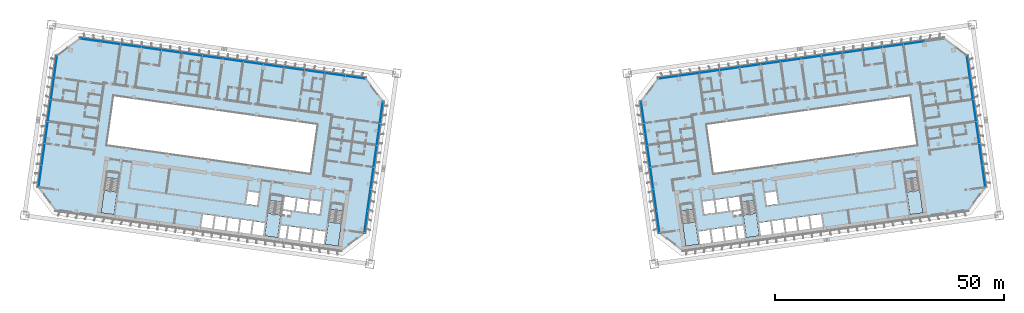
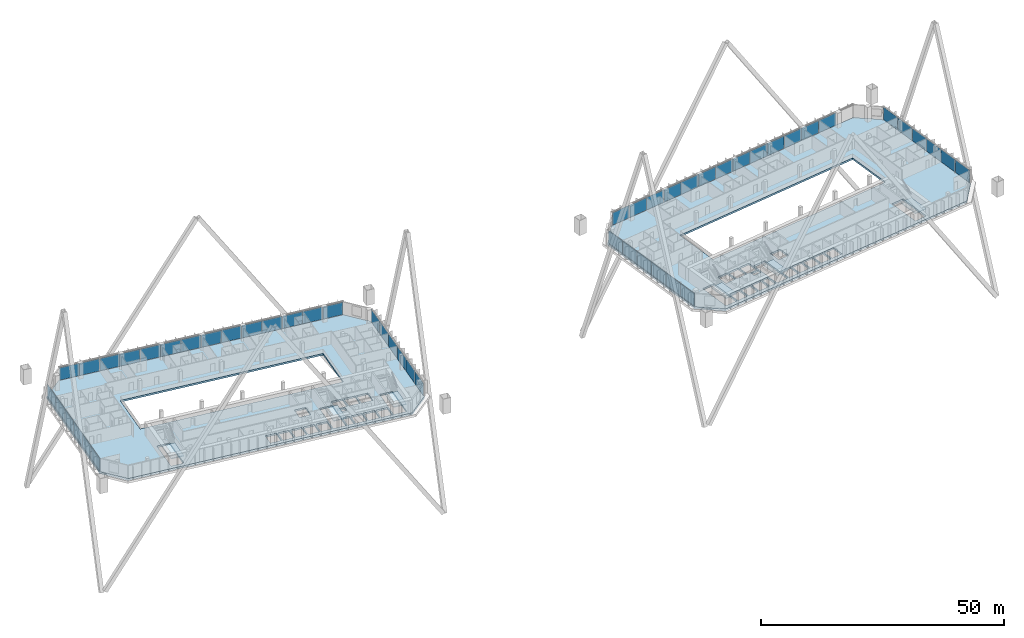
# One storey, part 36 of 49: 51 plates, 8 slabs, 12 elements without a shape of their own.
"""IFC4 building model written with IfcOpenShell, lengths in metres."""

from ifc_helpers import new_model, si_unit, direction, frame, origin, origin_2d, place, context, subcontext, project, spatial, polyline, rectangle, outline, extrude, material, layer, layer_set, type_object, element, aggregate, save


model = new_model("IFC4")

# Units and contexts
model_context = context("Model", 3, precision=1e-05, world=origin(), true_north=direction((0.0, 1.0)))
body_context = subcontext(model_context, "Body", "Model", "MODEL_VIEW")
ifc_project = project(units=[si_unit("LENGTHUNIT", "METRE"), si_unit("AREAUNIT", "SQUARE_METRE"), si_unit("VOLUMEUNIT", "CUBIC_METRE"), si_unit("PLANEANGLEUNIT", "RADIAN"), si_unit("MASSUNIT", "GRAM", prefix="KILO")], contexts=[model_context])

# Site, building, storey
site_placement = place(None, origin())
site = spatial("IfcSite", under=ifc_project, at=site_placement, CompositionType="ELEMENT")
building_placement = place(site_placement, origin())
building = spatial("IfcBuilding", under=site, at=building_placement, Name="Mirante Cascada Hotel Towers", CompositionType="ELEMENT")
storey_placement = place(building_placement, frame((0.0, 0.0, 66.1)))
storey = spatial("IfcBuildingStorey", under=building, at=storey_placement, Name="L13", CompositionType="ELEMENT", Elevation=66.1)

# Curtain wall, plates
ifc_material_1 = material(Name="Aluminium mullion and transom frame with clear laminated glass", Category="aluminium")
curtain_wall_type_1 = type_object("IfcCurtainWallType", Name="Ribbon curtain wall ECW1", PredefinedType="NOTDEFINED", material=ifc_material_1)
curtain_wall_1_placement = place(storey_placement, origin())
curtain_wall_1 = element("IfcCurtainWall", 1, at=curtain_wall_1_placement, inside=storey, type_object=curtain_wall_type_1, Name="Front ribbon wall T1 L13", PredefinedType="NOTDEFINED")
ifc_material_2 = material(Name="Clear laminated glass", Category="glass")
ifc_layer_1 = layer(ifc_material_2, 0.036)
ifc_layer_set_1 = layer_set([ifc_layer_1], Name="ECW1 glass panel 36")
plate_type_1 = type_object("IfcPlateType", Name="ECW1 glass panel 36", PredefinedType="CURTAIN_PANEL", material=ifc_layer_set_1)
plate_1_placement = place(storey_placement, frame((-91.9184, 25.7373, 0.1), z_axis=(0.0, 0.0, 1.0), x_axis=(0.9902681, -0.1391731, 0.0)))
plate_1 = element("IfcPlate", 2, at=plate_1_placement, type_object=plate_type_1, Name="ECW1 panel 1", PredefinedType="CURTAIN_PANEL", context=body_context, shape_type="SweptSolid", body=[
    extrude(rectangle(XDim=4.3936, YDim=0.036, at=origin_2d()), origin(), (0.0, 0.0, 1.0), 3.15),
])
plate_2_placement = place(storey_placement, frame((-87.487, 25.1145, 0.1), z_axis=(0.0, 0.0, 1.0), x_axis=(0.9902681, -0.1391731, 0.0)))
plate_2 = element("IfcPlate", 3, at=plate_2_placement, type_object=plate_type_1, Name="ECW1 panel 2", PredefinedType="CURTAIN_PANEL", context=body_context, shape_type="SweptSolid", body=[
    extrude(rectangle(XDim=4.4261, YDim=0.036, at=origin_2d()), origin(), (0.0, 0.0, 1.0), 3.15),
])
plate_3_placement = place(storey_placement, frame((-83.0396, 24.4895, 0.1), z_axis=(0.0, 0.0, 1.0), x_axis=(0.9902681, -0.1391731, 0.0)))
plate_3 = element("IfcPlate", 4, at=plate_3_placement, type_object=plate_type_1, Name="ECW1 panel 3", PredefinedType="CURTAIN_PANEL", context=body_context, shape_type="SweptSolid", body=[
    extrude(rectangle(XDim=4.4261, YDim=0.036, at=origin_2d()), origin(), (0.0, 0.0, 1.0), 3.15),
])
plate_4_placement = place(storey_placement, frame((-78.5922, 23.8644, 0.1), z_axis=(0.0, 0.0, 1.0), x_axis=(0.9902681, -0.1391731, 0.0)))
plate_4 = element("IfcPlate", 5, at=plate_4_placement, type_object=plate_type_1, Name="ECW1 panel 4", PredefinedType="CURTAIN_PANEL", context=body_context, shape_type="SweptSolid", body=[
    extrude(rectangle(XDim=4.4261, YDim=0.036, at=origin_2d()), origin(), (0.0, 0.0, 1.0), 3.15),
])
plate_5_placement = place(storey_placement, frame((-74.1448, 23.2394, 0.1), z_axis=(0.0, 0.0, 1.0), x_axis=(0.9902681, -0.1391731, 0.0)))
plate_5 = element("IfcPlate", 6, at=plate_5_placement, type_object=plate_type_1, Name="ECW1 panel 5", PredefinedType="CURTAIN_PANEL", context=body_context, shape_type="SweptSolid", body=[
    extrude(rectangle(XDim=4.4261, YDim=0.036, at=origin_2d()), origin(), (0.0, 0.0, 1.0), 3.15),
])
plate_6_placement = place(storey_placement, frame((-69.6974, 22.6144, 0.1), z_axis=(0.0, 0.0, 1.0), x_axis=(0.9902681, -0.1391731, 0.0)))
plate_6 = element("IfcPlate", 7, at=plate_6_placement, type_object=plate_type_1, Name="ECW1 panel 6", PredefinedType="CURTAIN_PANEL", context=body_context, shape_type="SweptSolid", body=[
    extrude(rectangle(XDim=4.4261, YDim=0.036, at=origin_2d()), origin(), (0.0, 0.0, 1.0), 3.15),
])
plate_7_placement = place(storey_placement, frame((-65.2499, 21.9893, 0.1), z_axis=(0.0, 0.0, 1.0), x_axis=(0.9902681, -0.1391731, 0.0)))
plate_7 = element("IfcPlate", 8, at=plate_7_placement, type_object=plate_type_1, Name="ECW1 panel 7", PredefinedType="CURTAIN_PANEL", context=body_context, shape_type="SweptSolid", body=[
    extrude(rectangle(XDim=4.4261, YDim=0.036, at=origin_2d()), origin(), (0.0, 0.0, 1.0), 3.15),
])
plate_8_placement = place(storey_placement, frame((-60.8025, 21.3643, 0.1), z_axis=(0.0, 0.0, 1.0), x_axis=(0.9902681, -0.1391731, 0.0)))
plate_8 = element("IfcPlate", 9, at=plate_8_placement, type_object=plate_type_1, Name="ECW1 panel 8", PredefinedType="CURTAIN_PANEL", context=body_context, shape_type="SweptSolid", body=[
    extrude(rectangle(XDim=4.4261, YDim=0.036, at=origin_2d()), origin(), (0.0, 0.0, 1.0), 3.15),
])
plate_9_placement = place(storey_placement, frame((-56.3551, 20.7392, 0.1), z_axis=(0.0, 0.0, 1.0), x_axis=(0.9902681, -0.1391731, 0.0)))
plate_9 = element("IfcPlate", 10, at=plate_9_placement, type_object=plate_type_1, Name="ECW1 panel 9", PredefinedType="CURTAIN_PANEL", context=body_context, shape_type="SweptSolid", body=[
    extrude(rectangle(XDim=4.4261, YDim=0.036, at=origin_2d()), origin(), (0.0, 0.0, 1.0), 3.15),
])
plate_10_placement = place(storey_placement, frame((-51.9077, 20.1142, 0.1), z_axis=(0.0, 0.0, 1.0), x_axis=(0.9902681, -0.1391731, 0.0)))
plate_10 = element("IfcPlate", 11, at=plate_10_placement, type_object=plate_type_1, Name="ECW1 panel 10", PredefinedType="CURTAIN_PANEL", context=body_context, shape_type="SweptSolid", body=[
    extrude(rectangle(XDim=4.4261, YDim=0.036, at=origin_2d()), origin(), (0.0, 0.0, 1.0), 3.15),
])
plate_11_placement = place(storey_placement, frame((-47.4603, 19.4891, 0.1), z_axis=(0.0, 0.0, 1.0), x_axis=(0.9902681, -0.1391731, 0.0)))
plate_11 = element("IfcPlate", 12, at=plate_11_placement, type_object=plate_type_1, Name="ECW1 panel 11", PredefinedType="CURTAIN_PANEL", context=body_context, shape_type="SweptSolid", body=[
    extrude(rectangle(XDim=4.4261, YDim=0.036, at=origin_2d()), origin(), (0.0, 0.0, 1.0), 3.15),
])
plate_12_placement = place(storey_placement, frame((-43.0129, 18.8641, 0.1), z_axis=(0.0, 0.0, 1.0), x_axis=(0.9902681, -0.1391731, 0.0)))
plate_12 = element("IfcPlate", 13, at=plate_12_placement, type_object=plate_type_1, Name="ECW1 panel 12", PredefinedType="CURTAIN_PANEL", context=body_context, shape_type="SweptSolid", body=[
    extrude(rectangle(XDim=4.4261, YDim=0.036, at=origin_2d()), origin(), (0.0, 0.0, 1.0), 3.15),
])
plate_13_placement = place(storey_placement, frame((-38.5654, 18.239, 0.1), z_axis=(0.0, 0.0, 1.0), x_axis=(0.9902681, -0.1391731, 0.0)))
plate_13 = element("IfcPlate", 14, at=plate_13_placement, type_object=plate_type_1, Name="ECW1 panel 13", PredefinedType="CURTAIN_PANEL", context=body_context, shape_type="SweptSolid", body=[
    extrude(rectangle(XDim=4.4261, YDim=0.036, at=origin_2d()), origin(), (0.0, 0.0, 1.0), 3.15),
])
plate_14_placement = place(storey_placement, frame((-34.1341, 17.6163, 0.1), z_axis=(0.0, 0.0, 1.0), x_axis=(0.9902681, -0.1391731, 0.0)))
plate_14 = element("IfcPlate", 15, at=plate_14_placement, type_object=plate_type_1, Name="ECW1 panel 14", PredefinedType="CURTAIN_PANEL", context=body_context, shape_type="SweptSolid", body=[
    extrude(rectangle(XDim=4.3936, YDim=0.036, at=origin_2d()), origin(), (0.0, 0.0, 1.0), 3.15),
])
aggregate(curtain_wall_1, [plate_1, plate_2, plate_3, plate_4, plate_5, plate_6, plate_7, plate_8, plate_9, plate_10, plate_11, plate_12, plate_13, plate_14])

curtain_wall_2_placement = place(storey_placement, origin())
curtain_wall_2 = element("IfcCurtainWall", 16, at=curtain_wall_2_placement, inside=storey, type_object=curtain_wall_type_1, Name="Front ribbon wall T2 L13", PredefinedType="NOTDEFINED")
plate_15_placement = place(storey_placement, frame((87.487, 25.1145, 0.1), z_axis=(0.0, 0.0, 1.0), x_axis=(-0.9902681, -0.1391731, 0.0)))
plate_15 = element("IfcPlate", 17, at=plate_15_placement, type_object=plate_type_1, Name="ECW1 panel 2", PredefinedType="CURTAIN_PANEL", context=body_context, shape_type="SweptSolid", body=[
    extrude(rectangle(XDim=4.4261, YDim=0.036, at=origin_2d()), origin(), (0.0, 0.0, 1.0), 3.15),
])
plate_16_placement = place(storey_placement, frame((83.0396, 24.4895, 0.1), z_axis=(0.0, 0.0, 1.0), x_axis=(-0.9902681, -0.1391731, 0.0)))
plate_16 = element("IfcPlate", 18, at=plate_16_placement, type_object=plate_type_1, Name="ECW1 panel 3", PredefinedType="CURTAIN_PANEL", context=body_context, shape_type="SweptSolid", body=[
    extrude(rectangle(XDim=4.4261, YDim=0.036, at=origin_2d()), origin(), (0.0, 0.0, 1.0), 3.15),
])
plate_17_placement = place(storey_placement, frame((78.5922, 23.8644, 0.1), z_axis=(0.0, 0.0, 1.0), x_axis=(-0.9902681, -0.1391731, 0.0)))
plate_17 = element("IfcPlate", 19, at=plate_17_placement, type_object=plate_type_1, Name="ECW1 panel 4", PredefinedType="CURTAIN_PANEL", context=body_context, shape_type="SweptSolid", body=[
    extrude(rectangle(XDim=4.4261, YDim=0.036, at=origin_2d()), origin(), (0.0, 0.0, 1.0), 3.15),
])
plate_18_placement = place(storey_placement, frame((74.1448, 23.2394, 0.1), z_axis=(0.0, 0.0, 1.0), x_axis=(-0.9902681, -0.1391731, 0.0)))
plate_18 = element("IfcPlate", 20, at=plate_18_placement, type_object=plate_type_1, Name="ECW1 panel 5", PredefinedType="CURTAIN_PANEL", context=body_context, shape_type="SweptSolid", body=[
    extrude(rectangle(XDim=4.4261, YDim=0.036, at=origin_2d()), origin(), (0.0, 0.0, 1.0), 3.15),
])
plate_19_placement = place(storey_placement, frame((69.6974, 22.6144, 0.1), z_axis=(0.0, 0.0, 1.0), x_axis=(-0.9902681, -0.1391731, 0.0)))
plate_19 = element("IfcPlate", 21, at=plate_19_placement, type_object=plate_type_1, Name="ECW1 panel 6", PredefinedType="CURTAIN_PANEL", context=body_context, shape_type="SweptSolid", body=[
    extrude(rectangle(XDim=4.4261, YDim=0.036, at=origin_2d()), origin(), (0.0, 0.0, 1.0), 3.15),
])
plate_20_placement = place(storey_placement, frame((65.2499, 21.9893, 0.1), z_axis=(0.0, 0.0, 1.0), x_axis=(-0.9902681, -0.1391731, 0.0)))
plate_20 = element("IfcPlate", 22, at=plate_20_placement, type_object=plate_type_1, Name="ECW1 panel 7", PredefinedType="CURTAIN_PANEL", context=body_context, shape_type="SweptSolid", body=[
    extrude(rectangle(XDim=4.4261, YDim=0.036, at=origin_2d()), origin(), (0.0, 0.0, 1.0), 3.15),
])
plate_21_placement = place(storey_placement, frame((60.8025, 21.3643, 0.1), z_axis=(0.0, 0.0, 1.0), x_axis=(-0.9902681, -0.1391731, 0.0)))
plate_21 = element("IfcPlate", 23, at=plate_21_placement, type_object=plate_type_1, Name="ECW1 panel 8", PredefinedType="CURTAIN_PANEL", context=body_context, shape_type="SweptSolid", body=[
    extrude(rectangle(XDim=4.4261, YDim=0.036, at=origin_2d()), origin(), (0.0, 0.0, 1.0), 3.15),
])
plate_22_placement = place(storey_placement, frame((56.3551, 20.7392, 0.1), z_axis=(0.0, 0.0, 1.0), x_axis=(-0.9902681, -0.1391731, 0.0)))
plate_22 = element("IfcPlate", 24, at=plate_22_placement, type_object=plate_type_1, Name="ECW1 panel 9", PredefinedType="CURTAIN_PANEL", context=body_context, shape_type="SweptSolid", body=[
    extrude(rectangle(XDim=4.4261, YDim=0.036, at=origin_2d()), origin(), (0.0, 0.0, 1.0), 3.15),
])
plate_23_placement = place(storey_placement, frame((51.9077, 20.1142, 0.1), z_axis=(0.0, 0.0, 1.0), x_axis=(-0.9902681, -0.1391731, 0.0)))
plate_23 = element("IfcPlate", 25, at=plate_23_placement, type_object=plate_type_1, Name="ECW1 panel 10", PredefinedType="CURTAIN_PANEL", context=body_context, shape_type="SweptSolid", body=[
    extrude(rectangle(XDim=4.4261, YDim=0.036, at=origin_2d()), origin(), (0.0, 0.0, 1.0), 3.15),
])
plate_24_placement = place(storey_placement, frame((47.4603, 19.4891, 0.1), z_axis=(0.0, 0.0, 1.0), x_axis=(-0.9902681, -0.1391731, 0.0)))
plate_24 = element("IfcPlate", 26, at=plate_24_placement, type_object=plate_type_1, Name="ECW1 panel 11", PredefinedType="CURTAIN_PANEL", context=body_context, shape_type="SweptSolid", body=[
    extrude(rectangle(XDim=4.4261, YDim=0.036, at=origin_2d()), origin(), (0.0, 0.0, 1.0), 3.15),
])
plate_25_placement = place(storey_placement, frame((43.0129, 18.8641, 0.1), z_axis=(0.0, 0.0, 1.0), x_axis=(-0.9902681, -0.1391731, 0.0)))
plate_25 = element("IfcPlate", 27, at=plate_25_placement, type_object=plate_type_1, Name="ECW1 panel 12", PredefinedType="CURTAIN_PANEL", context=body_context, shape_type="SweptSolid", body=[
    extrude(rectangle(XDim=4.4261, YDim=0.036, at=origin_2d()), origin(), (0.0, 0.0, 1.0), 3.15),
])
plate_26_placement = place(storey_placement, frame((38.5654, 18.239, 0.1), z_axis=(0.0, 0.0, 1.0), x_axis=(-0.9902681, -0.1391731, 0.0)))
plate_26 = element("IfcPlate", 28, at=plate_26_placement, type_object=plate_type_1, Name="ECW1 panel 13", PredefinedType="CURTAIN_PANEL", context=body_context, shape_type="SweptSolid", body=[
    extrude(rectangle(XDim=4.4261, YDim=0.036, at=origin_2d()), origin(), (0.0, 0.0, 1.0), 3.15),
])
plate_27_placement = place(storey_placement, frame((34.1341, 17.6163, 0.1), z_axis=(0.0, 0.0, 1.0), x_axis=(-0.9902681, -0.1391731, 0.0)))
plate_27 = element("IfcPlate", 29, at=plate_27_placement, type_object=plate_type_1, Name="ECW1 panel 14", PredefinedType="CURTAIN_PANEL", context=body_context, shape_type="SweptSolid", body=[
    extrude(rectangle(XDim=4.3936, YDim=0.036, at=origin_2d()), origin(), (0.0, 0.0, 1.0), 3.15),
])
aggregate(curtain_wall_2, [plate_15, plate_16, plate_17, plate_18, plate_19, plate_20, plate_21, plate_22, plate_23, plate_24, plate_25, plate_26, plate_27])

ifc_material_3 = material(Name="Aluminium mullion and transom frame with clear laminated glass", Category="aluminium")
curtain_wall_type_2 = type_object("IfcCurtainWallType", Name="End ribbon curtain wall ECW2", PredefinedType="NOTDEFINED", material=ifc_material_3)
curtain_wall_3_placement = place(storey_placement, origin())
curtain_wall_3 = element("IfcCurtainWall", 30, at=curtain_wall_3_placement, inside=storey, type_object=curtain_wall_type_2, Name="Inner end wall T1 L13", PredefinedType="NOTDEFINED")
ifc_material_4 = material(Name="Clear laminated glass", Category="glass")
ifc_layer_2 = layer(ifc_material_4, 0.034)
ifc_layer_set_2 = layer_set([ifc_layer_2], Name="ECW2 glass panel 34")
plate_type_2 = type_object("IfcPlateType", Name="ECW2 glass panel 34", PredefinedType="CURTAIN_PANEL", material=ifc_layer_set_2)
plate_28_placement = place(storey_placement, frame((-28.4763, 9.9193, 0.1), z_axis=(0.0, 0.0, 1.0), x_axis=(-0.1391731, -0.9902681, 0.0)))
plate_28 = element("IfcPlate", 31, at=plate_28_placement, type_object=plate_type_2, Name="ECW2 panel 1", PredefinedType="CURTAIN_PANEL", context=body_context, shape_type="SweptSolid", body=[
    extrude(rectangle(XDim=4.7151, YDim=0.034, at=origin_2d()), origin(), (0.0, 0.0, 1.0), 3.15),
])
plate_29_placement = place(storey_placement, frame((-29.1439, 5.1696, 0.1), z_axis=(0.0, 0.0, 1.0), x_axis=(-0.1391731, -0.9902681, 0.0)))
plate_29 = element("IfcPlate", 32, at=plate_29_placement, type_object=plate_type_2, Name="ECW2 panel 2", PredefinedType="CURTAIN_PANEL", context=body_context, shape_type="SweptSolid", body=[
    extrude(rectangle(XDim=4.7476, YDim=0.034, at=origin_2d()), origin(), (0.0, 0.0, 1.0), 3.15),
])
plate_30_placement = place(storey_placement, frame((-29.8136, 0.4038, 0.1), z_axis=(0.0, 0.0, 1.0), x_axis=(-0.1391731, -0.9902681, 0.0)))
plate_30 = element("IfcPlate", 33, at=plate_30_placement, type_object=plate_type_2, Name="ECW2 panel 3", PredefinedType="CURTAIN_PANEL", context=body_context, shape_type="SweptSolid", body=[
    extrude(rectangle(XDim=4.7476, YDim=0.034, at=origin_2d()), origin(), (0.0, 0.0, 1.0), 3.15),
])
plate_31_placement = place(storey_placement, frame((-30.4834, -4.362, 0.1), z_axis=(0.0, 0.0, 1.0), x_axis=(-0.1391731, -0.9902681, 0.0)))
plate_31 = element("IfcPlate", 34, at=plate_31_placement, type_object=plate_type_2, Name="ECW2 panel 4", PredefinedType="CURTAIN_PANEL", context=body_context, shape_type="SweptSolid", body=[
    extrude(rectangle(XDim=4.7476, YDim=0.034, at=origin_2d()), origin(), (0.0, 0.0, 1.0), 3.15),
])
plate_32_placement = place(storey_placement, frame((-31.1532, -9.1278, 0.1), z_axis=(0.0, 0.0, 1.0), x_axis=(-0.1391731, -0.9902681, 0.0)))
plate_32 = element("IfcPlate", 35, at=plate_32_placement, type_object=plate_type_2, Name="ECW2 panel 5", PredefinedType="CURTAIN_PANEL", context=body_context, shape_type="SweptSolid", body=[
    extrude(rectangle(XDim=4.7476, YDim=0.034, at=origin_2d()), origin(), (0.0, 0.0, 1.0), 3.15),
])
plate_33_placement = place(storey_placement, frame((-31.8207, -13.8775, 0.1), z_axis=(0.0, 0.0, 1.0), x_axis=(-0.1391731, -0.9902681, 0.0)))
plate_33 = element("IfcPlate", 36, at=plate_33_placement, type_object=plate_type_2, Name="ECW2 panel 6", PredefinedType="CURTAIN_PANEL", context=body_context, shape_type="SweptSolid", body=[
    extrude(rectangle(XDim=4.7151, YDim=0.034, at=origin_2d()), origin(), (0.0, 0.0, 1.0), 3.15),
])
aggregate(curtain_wall_3, [plate_28, plate_29, plate_30, plate_31, plate_32, plate_33])

curtain_wall_4_placement = place(storey_placement, origin())
curtain_wall_4 = element("IfcCurtainWall", 37, at=curtain_wall_4_placement, inside=storey, type_object=curtain_wall_type_2, Name="Outer end wall T1 L13", PredefinedType="NOTDEFINED")
plate_34_placement = place(storey_placement, frame((-102.823, -3.8988, 0.1), z_axis=(0.0, 0.0, 1.0), x_axis=(0.1391731, 0.9902681, 0.0)))
plate_34 = element("IfcPlate", 38, at=plate_34_placement, type_object=plate_type_2, Name="ECW2 panel 1", PredefinedType="CURTAIN_PANEL", context=body_context, shape_type="SweptSolid", body=[
    extrude(rectangle(XDim=4.7151, YDim=0.034, at=origin_2d()), origin(), (0.0, 0.0, 1.0), 3.15),
])
plate_35_placement = place(storey_placement, frame((-102.1554, 0.8509, 0.1), z_axis=(0.0, 0.0, 1.0), x_axis=(0.1391731, 0.9902681, 0.0)))
plate_35 = element("IfcPlate", 39, at=plate_35_placement, type_object=plate_type_2, Name="ECW2 panel 2", PredefinedType="CURTAIN_PANEL", context=body_context, shape_type="SweptSolid", body=[
    extrude(rectangle(XDim=4.7476, YDim=0.034, at=origin_2d()), origin(), (0.0, 0.0, 1.0), 3.15),
])
plate_36_placement = place(storey_placement, frame((-101.4857, 5.6167, 0.1), z_axis=(0.0, 0.0, 1.0), x_axis=(0.1391731, 0.9902681, 0.0)))
plate_36 = element("IfcPlate", 40, at=plate_36_placement, type_object=plate_type_2, Name="ECW2 panel 3", PredefinedType="CURTAIN_PANEL", context=body_context, shape_type="SweptSolid", body=[
    extrude(rectangle(XDim=4.7476, YDim=0.034, at=origin_2d()), origin(), (0.0, 0.0, 1.0), 3.15),
])
plate_37_placement = place(storey_placement, frame((-100.8159, 10.3825, 0.1), z_axis=(0.0, 0.0, 1.0), x_axis=(0.1391731, 0.9902681, 0.0)))
plate_37 = element("IfcPlate", 41, at=plate_37_placement, type_object=plate_type_2, Name="ECW2 panel 4", PredefinedType="CURTAIN_PANEL", context=body_context, shape_type="SweptSolid", body=[
    extrude(rectangle(XDim=4.7476, YDim=0.034, at=origin_2d()), origin(), (0.0, 0.0, 1.0), 3.15),
])
plate_38_placement = place(storey_placement, frame((-100.1461, 15.1483, 0.1), z_axis=(0.0, 0.0, 1.0), x_axis=(0.1391731, 0.9902681, 0.0)))
plate_38 = element("IfcPlate", 42, at=plate_38_placement, type_object=plate_type_2, Name="ECW2 panel 5", PredefinedType="CURTAIN_PANEL", context=body_context, shape_type="SweptSolid", body=[
    extrude(rectangle(XDim=4.7476, YDim=0.034, at=origin_2d()), origin(), (0.0, 0.0, 1.0), 3.15),
])
plate_39_placement = place(storey_placement, frame((-99.4786, 19.898, 0.1), z_axis=(0.0, 0.0, 1.0), x_axis=(0.1391731, 0.9902681, 0.0)))
plate_39 = element("IfcPlate", 43, at=plate_39_placement, type_object=plate_type_2, Name="ECW2 panel 6", PredefinedType="CURTAIN_PANEL", context=body_context, shape_type="SweptSolid", body=[
    extrude(rectangle(XDim=4.7151, YDim=0.034, at=origin_2d()), origin(), (0.0, 0.0, 1.0), 3.15),
])
aggregate(curtain_wall_4, [plate_34, plate_35, plate_36, plate_37, plate_38, plate_39])

curtain_wall_5_placement = place(storey_placement, origin())
curtain_wall_5 = element("IfcCurtainWall", 44, at=curtain_wall_5_placement, inside=storey, type_object=curtain_wall_type_2, Name="Inner end wall T2 L13", PredefinedType="NOTDEFINED")
plate_40_placement = place(storey_placement, frame((28.4763, 9.9193, 0.1), z_axis=(0.0, 0.0, 1.0), x_axis=(0.1391731, -0.9902681, 0.0)))
plate_40 = element("IfcPlate", 45, at=plate_40_placement, type_object=plate_type_2, Name="ECW2 panel 1", PredefinedType="CURTAIN_PANEL", context=body_context, shape_type="SweptSolid", body=[
    extrude(rectangle(XDim=4.7151, YDim=0.034, at=origin_2d()), origin(), (0.0, 0.0, 1.0), 3.15),
])
plate_41_placement = place(storey_placement, frame((29.1439, 5.1696, 0.1), z_axis=(0.0, 0.0, 1.0), x_axis=(0.1391731, -0.9902681, 0.0)))
plate_41 = element("IfcPlate", 46, at=plate_41_placement, type_object=plate_type_2, Name="ECW2 panel 2", PredefinedType="CURTAIN_PANEL", context=body_context, shape_type="SweptSolid", body=[
    extrude(rectangle(XDim=4.7476, YDim=0.034, at=origin_2d()), origin(), (0.0, 0.0, 1.0), 3.15),
])
plate_42_placement = place(storey_placement, frame((29.8136, 0.4038, 0.1), z_axis=(0.0, 0.0, 1.0), x_axis=(0.1391731, -0.9902681, 0.0)))
plate_42 = element("IfcPlate", 47, at=plate_42_placement, type_object=plate_type_2, Name="ECW2 panel 3", PredefinedType="CURTAIN_PANEL", context=body_context, shape_type="SweptSolid", body=[
    extrude(rectangle(XDim=4.7476, YDim=0.034, at=origin_2d()), origin(), (0.0, 0.0, 1.0), 3.15),
])
plate_43_placement = place(storey_placement, frame((30.4834, -4.362, 0.1), z_axis=(0.0, 0.0, 1.0), x_axis=(0.1391731, -0.9902681, 0.0)))
plate_43 = element("IfcPlate", 48, at=plate_43_placement, type_object=plate_type_2, Name="ECW2 panel 4", PredefinedType="CURTAIN_PANEL", context=body_context, shape_type="SweptSolid", body=[
    extrude(rectangle(XDim=4.7476, YDim=0.034, at=origin_2d()), origin(), (0.0, 0.0, 1.0), 3.15),
])
plate_44_placement = place(storey_placement, frame((31.1532, -9.1278, 0.1), z_axis=(0.0, 0.0, 1.0), x_axis=(0.1391731, -0.9902681, 0.0)))
plate_44 = element("IfcPlate", 49, at=plate_44_placement, type_object=plate_type_2, Name="ECW2 panel 5", PredefinedType="CURTAIN_PANEL", context=body_context, shape_type="SweptSolid", body=[
    extrude(rectangle(XDim=4.7476, YDim=0.034, at=origin_2d()), origin(), (0.0, 0.0, 1.0), 3.15),
])
plate_45_placement = place(storey_placement, frame((31.8207, -13.8775, 0.1), z_axis=(0.0, 0.0, 1.0), x_axis=(0.1391731, -0.9902681, 0.0)))
plate_45 = element("IfcPlate", 50, at=plate_45_placement, type_object=plate_type_2, Name="ECW2 panel 6", PredefinedType="CURTAIN_PANEL", context=body_context, shape_type="SweptSolid", body=[
    extrude(rectangle(XDim=4.7151, YDim=0.034, at=origin_2d()), origin(), (0.0, 0.0, 1.0), 3.15),
])
aggregate(curtain_wall_5, [plate_40, plate_41, plate_42, plate_43, plate_44, plate_45])

curtain_wall_6_placement = place(storey_placement, origin())
curtain_wall_6 = element("IfcCurtainWall", 51, at=curtain_wall_6_placement, inside=storey, type_object=curtain_wall_type_2, Name="Outer end wall T2 L13", PredefinedType="NOTDEFINED")
plate_46_placement = place(storey_placement, frame((102.823, -3.8988, 0.1), z_axis=(0.0, 0.0, 1.0), x_axis=(-0.1391731, 0.9902681, 0.0)))
plate_46 = element("IfcPlate", 52, at=plate_46_placement, type_object=plate_type_2, Name="ECW2 panel 1", PredefinedType="CURTAIN_PANEL", context=body_context, shape_type="SweptSolid", body=[
    extrude(rectangle(XDim=4.7151, YDim=0.034, at=origin_2d()), origin(), (0.0, 0.0, 1.0), 3.15),
])
plate_47_placement = place(storey_placement, frame((102.1554, 0.8509, 0.1), z_axis=(0.0, 0.0, 1.0), x_axis=(-0.1391731, 0.9902681, 0.0)))
plate_47 = element("IfcPlate", 53, at=plate_47_placement, type_object=plate_type_2, Name="ECW2 panel 2", PredefinedType="CURTAIN_PANEL", context=body_context, shape_type="SweptSolid", body=[
    extrude(rectangle(XDim=4.7476, YDim=0.034, at=origin_2d()), origin(), (0.0, 0.0, 1.0), 3.15),
])
plate_48_placement = place(storey_placement, frame((101.4857, 5.6167, 0.1), z_axis=(0.0, 0.0, 1.0), x_axis=(-0.1391731, 0.9902681, 0.0)))
plate_48 = element("IfcPlate", 54, at=plate_48_placement, type_object=plate_type_2, Name="ECW2 panel 3", PredefinedType="CURTAIN_PANEL", context=body_context, shape_type="SweptSolid", body=[
    extrude(rectangle(XDim=4.7476, YDim=0.034, at=origin_2d()), origin(), (0.0, 0.0, 1.0), 3.15),
])
plate_49_placement = place(storey_placement, frame((100.8159, 10.3825, 0.1), z_axis=(0.0, 0.0, 1.0), x_axis=(-0.1391731, 0.9902681, 0.0)))
plate_49 = element("IfcPlate", 55, at=plate_49_placement, type_object=plate_type_2, Name="ECW2 panel 4", PredefinedType="CURTAIN_PANEL", context=body_context, shape_type="SweptSolid", body=[
    extrude(rectangle(XDim=4.7476, YDim=0.034, at=origin_2d()), origin(), (0.0, 0.0, 1.0), 3.15),
])
plate_50_placement = place(storey_placement, frame((100.1461, 15.1483, 0.1), z_axis=(0.0, 0.0, 1.0), x_axis=(-0.1391731, 0.9902681, 0.0)))
plate_50 = element("IfcPlate", 56, at=plate_50_placement, type_object=plate_type_2, Name="ECW2 panel 5", PredefinedType="CURTAIN_PANEL", context=body_context, shape_type="SweptSolid", body=[
    extrude(rectangle(XDim=4.7476, YDim=0.034, at=origin_2d()), origin(), (0.0, 0.0, 1.0), 3.15),
])
plate_51_placement = place(storey_placement, frame((99.4786, 19.898, 0.1), z_axis=(0.0, 0.0, 1.0), x_axis=(-0.1391731, 0.9902681, 0.0)))
plate_51 = element("IfcPlate", 57, at=plate_51_placement, type_object=plate_type_2, Name="ECW2 panel 6", PredefinedType="CURTAIN_PANEL", context=body_context, shape_type="SweptSolid", body=[
    extrude(rectangle(XDim=4.7151, YDim=0.034, at=origin_2d()), origin(), (0.0, 0.0, 1.0), 3.15),
])
aggregate(curtain_wall_6, [plate_46, plate_47, plate_48, plate_49, plate_50, plate_51])

# Stair, slab
ifc_material_5 = material(Name="Concrete C35/45", Category="concrete")
stair_type = type_object("IfcStairType", Name="Exit stair half-turn 1350 concrete C35/45", PredefinedType="HALF_TURN_STAIR", material=ifc_material_5)
stair_1_placement = place(storey_placement, origin())
stair_1 = element("IfcStair", 58, at=stair_1_placement, inside=storey, type_object=stair_type, Name="L13 Exit stair A", PredefinedType="HALF_TURN_STAIR")
ifc_material_6 = material(Name="Concrete C35/45", Category="concrete")
ifc_layer_3 = layer(ifc_material_6, 0.2)
ifc_layer_set_3 = layer_set([ifc_layer_3], Name="Exit stair landing 200 concrete C35/45")
slab_type_1 = type_object("IfcSlabType", Name="Exit stair landing 200 concrete C35/45", PredefinedType="LANDING", material=ifc_layer_set_3)
slab_1_placement = place(storey_placement, frame((0.0, 0.0, 1.7)))
slab_1 = element("IfcSlab", 59, at=slab_1_placement, type_object=slab_type_1, Name="ST1-A landing 1", PredefinedType="LANDING", context=body_context, shape_type="SweptSolid", body=[
    extrude(outline(polyline([(-39.9987, -13.8659), (-40.6887, -18.7757), (-37.8665, -19.1723), (-37.1765, -14.2626), (-39.9987, -13.8659)])), origin(), (0.0, 0.0, 1.0), 0.2),
])
aggregate(stair_1, [slab_1])

stair_2_placement = place(storey_placement, origin())
stair_2 = element("IfcStair", 60, at=stair_2_placement, inside=storey, type_object=stair_type, Name="L13 Exit stair B", PredefinedType="HALF_TURN_STAIR")
slab_2_placement = place(storey_placement, frame((0.0, 0.0, 1.7)))
slab_2 = element("IfcSlab", 61, at=slab_2_placement, type_object=slab_type_1, Name="ST1-B landing 1", PredefinedType="LANDING", context=body_context, shape_type="SweptSolid", body=[
    extrude(outline(polyline([(-53.2188, -12.008), (-53.9088, -16.9177), (-51.0866, -17.3144), (-50.3965, -12.4046), (-53.2188, -12.008)])), origin(), (0.0, 0.0, 1.0), 0.2),
])
aggregate(stair_2, [slab_2])

stair_3_placement = place(storey_placement, origin())
stair_3 = element("IfcStair", 62, at=stair_3_placement, inside=storey, type_object=stair_type, Name="L13 Exit stair C", PredefinedType="HALF_TURN_STAIR")
slab_3_placement = place(storey_placement, frame((0.0, 0.0, 1.7)))
slab_3 = element("IfcSlab", 63, at=slab_3_placement, type_object=slab_type_1, Name="ST1-C landing 1", PredefinedType="LANDING", context=body_context, shape_type="SweptSolid", body=[
    extrude(outline(polyline([(-88.8685, -6.9977), (-89.5585, -11.9075), (-86.7362, -12.3041), (-86.0462, -7.3944), (-88.8685, -6.9977)])), origin(), (0.0, 0.0, 1.0), 0.2),
])
aggregate(stair_3, [slab_3])

stair_4_placement = place(storey_placement, origin())
stair_4 = element("IfcStair", 64, at=stair_4_placement, inside=storey, type_object=stair_type, Name="L13 Exit stair A", PredefinedType="HALF_TURN_STAIR")
slab_4_placement = place(storey_placement, frame((0.0, 0.0, 1.7)))
slab_4 = element("IfcSlab", 65, at=slab_4_placement, type_object=slab_type_1, Name="ST2-A landing 1", PredefinedType="LANDING", context=body_context, shape_type="SweptSolid", body=[
    extrude(outline(polyline([(37.1765, -14.2626), (37.8665, -19.1723), (40.6887, -18.7757), (39.9987, -13.8659), (37.1765, -14.2626)])), origin(), (0.0, 0.0, 1.0), 0.2),
])
aggregate(stair_4, [slab_4])

stair_5_placement = place(storey_placement, origin())
stair_5 = element("IfcStair", 66, at=stair_5_placement, inside=storey, type_object=stair_type, Name="L13 Exit stair B", PredefinedType="HALF_TURN_STAIR")
slab_5_placement = place(storey_placement, frame((0.0, 0.0, 1.7)))
slab_5 = element("IfcSlab", 67, at=slab_5_placement, type_object=slab_type_1, Name="ST2-B landing 1", PredefinedType="LANDING", context=body_context, shape_type="SweptSolid", body=[
    extrude(outline(polyline([(50.3965, -12.4046), (51.0866, -17.3144), (53.9088, -16.9177), (53.2188, -12.008), (50.3965, -12.4046)])), origin(), (0.0, 0.0, 1.0), 0.2),
])
aggregate(stair_5, [slab_5])

stair_6_placement = place(storey_placement, origin())
stair_6 = element("IfcStair", 68, at=stair_6_placement, inside=storey, type_object=stair_type, Name="L13 Exit stair C", PredefinedType="HALF_TURN_STAIR")
slab_6_placement = place(storey_placement, frame((0.0, 0.0, 1.7)))
slab_6 = element("IfcSlab", 69, at=slab_6_placement, type_object=slab_type_1, Name="ST2-C landing 1", PredefinedType="LANDING", context=body_context, shape_type="SweptSolid", body=[
    extrude(outline(polyline([(86.0462, -7.3944), (86.7362, -12.3041), (89.5585, -11.9075), (88.8685, -6.9977), (86.0462, -7.3944)])), origin(), (0.0, 0.0, 1.0), 0.2),
])
aggregate(stair_6, [slab_6])

# Slabs
ifc_material_7 = material(Name="Concrete C40/50", Category="concrete")
ifc_layer_4 = layer(ifc_material_7, 0.45)
ifc_layer_set_4 = layer_set([ifc_layer_4], Name="Post-tensioned flat plate 450 Concrete C40/50")
slab_type_2 = type_object("IfcSlabType", Name="Post-tensioned flat plate 450 Concrete C40/50", PredefinedType="FLOOR", material=ifc_layer_set_4)
slab_7_placement = place(storey_placement, frame((0.0, 0.0, -0.45)))
element("IfcSlab", 70, at=slab_7_placement, inside=storey, type_object=slab_type_2, Name="Floor T1 L13", PredefinedType="FLOOR", context=body_context, shape_type="SweptSolid", body=[
    extrude(outline(polyline([(-32.018, -16.3589), (-27.982, 12.3589), (-31.8119, 17.4414), (-94.1988, 26.2093), (-99.2813, 22.3794), (-103.3173, -6.3384), (-99.4874, -11.4209), (-37.1005, -20.1888), (-32.018, -16.3589)]), holes=[polyline([(-43.0718, -15.6132), (-40.5961, -15.9612), (-40.9858, -18.7339), (-43.4615, -18.386), (-43.0718, -15.6132)]), polyline([(-45.8446, -15.2236), (-43.3689, -15.5715), (-43.7586, -18.3442), (-46.2342, -17.9963), (-45.8446, -15.2236)]), polyline([(-48.6173, -14.8339), (-46.1416, -15.1818), (-46.5313, -17.9546), (-49.007, -17.6066), (-48.6173, -14.8339)]), polyline([(-50.3998, -14.5834), (-48.9144, -14.7921), (-49.3041, -17.5649), (-50.7895, -17.3561), (-50.3998, -14.5834)]), polyline([(-36.7887, -11.5037), (-37.8665, -19.1723), (-40.6887, -18.7757), (-39.611, -11.107), (-36.7887, -11.5037)]), polyline([(-49.9544, -11.4145), (-48.1472, -11.6685), (-48.2829, -12.634), (-50.0901, -12.38), (-49.9544, -11.4145)]), polyline([(-43.9775, -9.124), (-41.5018, -9.472), (-41.8915, -12.2447), (-44.3672, -11.8968), (-43.9775, -9.124)]), polyline([(-47.1399, -11.5071), (-46.7503, -8.7344), (-44.2746, -9.0823), (-44.6643, -11.855), (-47.1399, -11.5071)]), polyline([(-49.9127, -11.1174), (-49.523, -8.3447), (-47.0473, -8.6926), (-47.437, -11.4654), (-49.9127, -11.1174)]), polyline([(-56.2919, -13.7553), (-53.8162, -14.1032), (-54.2059, -16.876), (-56.6816, -16.528), (-56.2919, -13.7553)]), polyline([(-59.0646, -13.3656), (-56.589, -13.7135), (-56.9787, -16.4863), (-59.4543, -16.1383), (-59.0646, -13.3656)]), polyline([(-61.8374, -12.9759), (-59.3617, -13.3238), (-59.7514, -16.0966), (-62.2271, -15.7487), (-61.8374, -12.9759)]), polyline([(-64.6101, -12.5862), (-62.1345, -12.9342), (-62.5242, -15.7069), (-64.9998, -15.359), (-64.6101, -12.5862)]), polyline([(-67.3829, -12.1965), (-64.9072, -12.5445), (-65.2969, -15.3172), (-67.7726, -14.9693), (-67.3829, -12.1965)]), polyline([(-50.0088, -9.6457), (-51.0866, -17.3144), (-53.9088, -16.9177), (-52.8311, -9.2491), (-50.0088, -9.6457)]), polyline([(-85.6585, -4.6355), (-86.7362, -12.3041), (-89.5585, -11.9075), (-88.4807, -4.2388), (-85.6585, -4.6355)]), polyline([(-57.9834, -9.9832), (-57.5937, -7.2104), (-55.118, -7.5583), (-55.5077, -10.3311), (-57.9834, -9.9832)]), polyline([(-88.4039, 2.7747), (-86.873, 13.6677), (-42.3109, 7.4049), (-43.8418, -3.4881), (-88.4039, 2.7747)])]), origin(), (0.0, 0.0, 1.0), 0.45),
])
slab_8_placement = place(storey_placement, frame((0.0, 0.0, -0.45)))
element("IfcSlab", 71, at=slab_8_placement, inside=storey, type_object=slab_type_2, Name="Floor T2 L13", PredefinedType="FLOOR", context=body_context, shape_type="SweptSolid", body=[
    extrude(outline(polyline([(32.018, -16.3589), (27.982, 12.3589), (31.8119, 17.4414), (94.1988, 26.2093), (99.2813, 22.3794), (103.3173, -6.3384), (99.4874, -11.4209), (37.1005, -20.1888), (32.018, -16.3589)]), holes=[polyline([(43.0718, -15.6132), (40.5961, -15.9612), (40.9858, -18.7339), (43.4615, -18.386), (43.0718, -15.6132)]), polyline([(45.8446, -15.2236), (43.3689, -15.5715), (43.7586, -18.3442), (46.2342, -17.9963), (45.8446, -15.2236)]), polyline([(48.6173, -14.8339), (46.1416, -15.1818), (46.5313, -17.9546), (49.007, -17.6066), (48.6173, -14.8339)]), polyline([(50.3998, -14.5834), (48.9144, -14.7921), (49.3041, -17.5649), (50.7895, -17.3561), (50.3998, -14.5834)]), polyline([(37.8665, -19.1723), (40.6887, -18.7757), (39.611, -11.107), (36.7887, -11.5037), (37.8665, -19.1723)]), polyline([(49.9544, -11.4145), (48.1472, -11.6685), (48.2829, -12.634), (50.0901, -12.38), (49.9544, -11.4145)]), polyline([(43.9775, -9.124), (41.5018, -9.472), (41.8915, -12.2447), (44.3672, -11.8968), (43.9775, -9.124)]), polyline([(47.1399, -11.5071), (46.7503, -8.7344), (44.2746, -9.0823), (44.6643, -11.855), (47.1399, -11.5071)]), polyline([(49.9127, -11.1174), (49.523, -8.3447), (47.0473, -8.6926), (47.437, -11.4654), (49.9127, -11.1174)]), polyline([(56.2919, -13.7553), (53.8162, -14.1032), (54.2059, -16.876), (56.6816, -16.528), (56.2919, -13.7553)]), polyline([(59.0646, -13.3656), (56.589, -13.7135), (56.9787, -16.4863), (59.4543, -16.1383), (59.0646, -13.3656)]), polyline([(61.8374, -12.9759), (59.3617, -13.3238), (59.7514, -16.0966), (62.2271, -15.7487), (61.8374, -12.9759)]), polyline([(64.6101, -12.5862), (62.1345, -12.9342), (62.5242, -15.7069), (64.9998, -15.359), (64.6101, -12.5862)]), polyline([(67.3829, -12.1965), (64.9072, -12.5445), (65.2969, -15.3172), (67.7726, -14.9693), (67.3829, -12.1965)]), polyline([(51.0866, -17.3144), (53.9088, -16.9177), (52.8311, -9.2491), (50.0088, -9.6457), (51.0866, -17.3144)]), polyline([(86.7362, -12.3041), (89.5585, -11.9075), (88.4807, -4.2388), (85.6585, -4.6355), (86.7362, -12.3041)]), polyline([(57.9834, -9.9832), (57.5937, -7.2104), (55.118, -7.5583), (55.5077, -10.3311), (57.9834, -9.9832)]), polyline([(88.4039, 2.7747), (86.873, 13.6677), (42.3109, 7.4049), (43.8418, -3.4881), (88.4039, 2.7747)])]), origin(), (0.0, 0.0, 1.0), 0.45),
])

save(model, "model.ifc")
